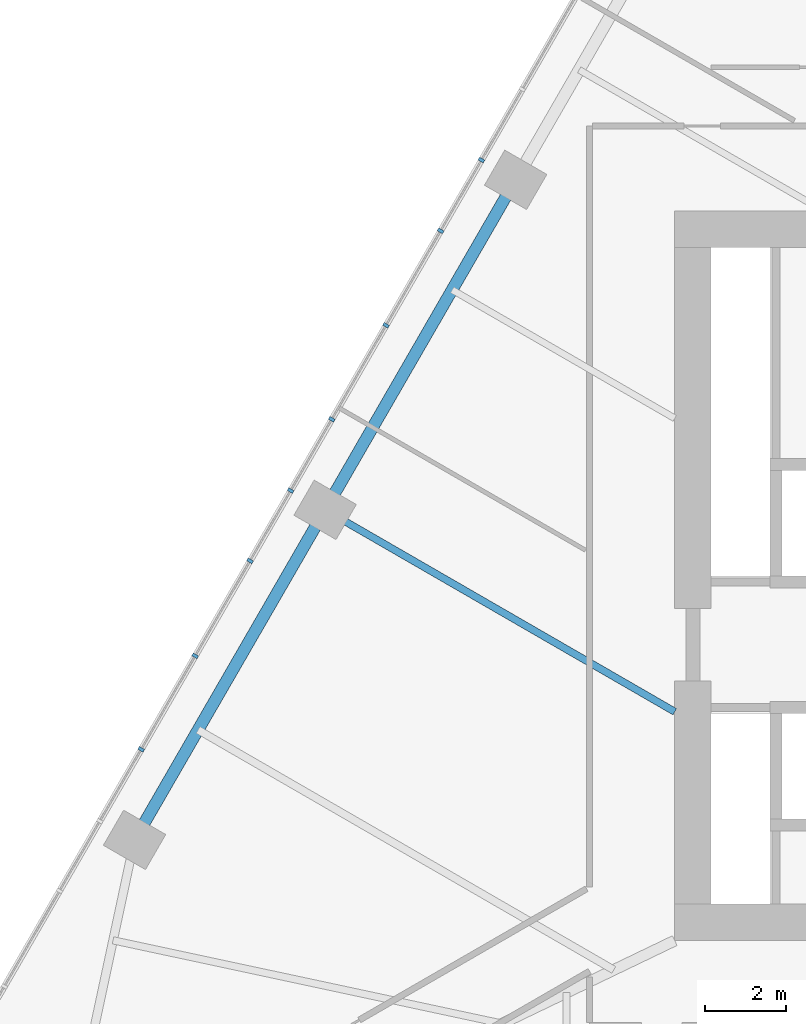
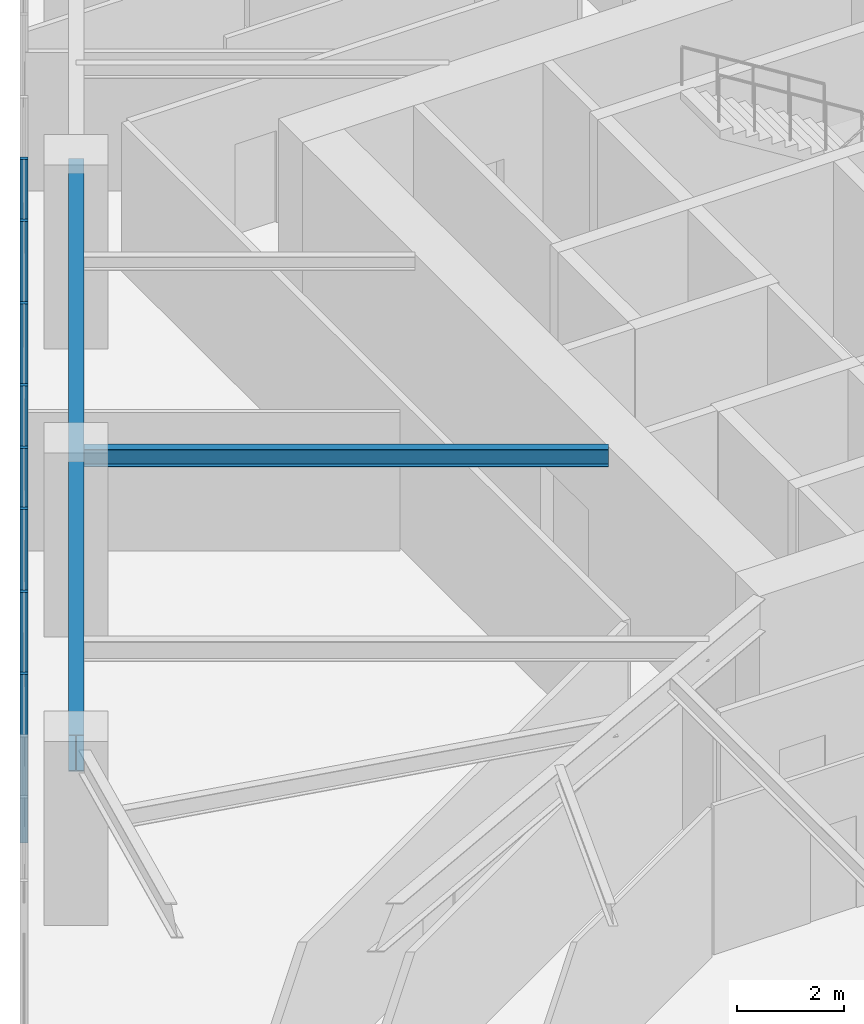
# One storey, part 4 of 21: 8 members, 2 beams, 1 element without a shape of its own.
"""IFC4 building model written with IfcOpenShell, lengths in metres."""

from ifc_helpers import new_model, si_unit, direction, frame, origin, origin_2d, place, context, subcontext, project, spatial, rectangle, i_section, extrude, material, layer, layer_set, material_profile, profile_set, type_object, element, aggregate, save


model = new_model("IFC4")

# Units and contexts
model_context = context("Model", 3, precision=1e-05, world=origin(), true_north=direction((0.0, 1.0)))
body_context = subcontext(model_context, "Body", "Model", "MODEL_VIEW")
ifc_project = project(units=[si_unit("LENGTHUNIT", "METRE"), si_unit("AREAUNIT", "SQUARE_METRE"), si_unit("VOLUMEUNIT", "CUBIC_METRE"), si_unit("PLANEANGLEUNIT", "RADIAN"), si_unit("MASSUNIT", "GRAM", prefix="KILO")], contexts=[model_context])

# Site, building, storey
site_placement = place(None, origin())
site = spatial("IfcSite", under=ifc_project, at=site_placement, CompositionType="ELEMENT")
building_placement = place(site_placement, origin())
building = spatial("IfcBuilding", under=site, at=building_placement, Name="Firuza Gate Tower and Library", CompositionType="ELEMENT")
storey_placement = place(building_placement, frame((0.0, 0.0, 98.800048828125)))
storey = spatial("IfcBuildingStorey", under=building, at=storey_placement, Name="L22", CompositionType="ELEMENT", Elevation=98.800048828125)

# Curtain wall, members
ifc_material_1 = material(Name="Aluminium 6063-T6", Category="aluminium")
ifc_layer = layer(ifc_material_1, 0.14990234375)
ifc_layer_set = layer_set([ifc_layer], Name="Unitised curtain wall, offices")
curtain_wall_type = type_object("IfcCurtainWallType", Name="Unitised curtain wall, offices", PredefinedType="NOTDEFINED", material=ifc_layer_set)
curtain_wall_placement = place(storey_placement, origin())
curtain_wall = element("IfcCurtainWall", 1, at=curtain_wall_placement, inside=storey, type_object=curtain_wall_type, Name="CW1 L22 W face", PredefinedType="NOTDEFINED")
ifc_material_2 = material(Name="Aluminium 6063-T6", Category="aluminium")
ifc_material_profile_1 = material_profile(ifc_material_2, rectangle(XDim=0.14990234375, YDim=0.080078125, at=origin_2d()))
ifc_profile_set_1 = profile_set([ifc_material_profile_1], Name="Aluminium 6063-T6")
member_type = type_object("IfcMemberType", Name="Curtain wall mullion 80x150", PredefinedType="MULLION", material=ifc_profile_set_1)
member_1_placement = place(storey_placement, frame((57.22998046875, 85.259521484375, 0.14990234375), z_axis=(0.0, 0.0, 1.0), x_axis=(0.866025403784, -0.5, 0.0)))
member_1 = element("IfcMember", 2, at=member_1_placement, type_object=member_type, Name="Mullion", PredefinedType="MULLION", context=body_context, shape_type="SweptSolid", body=[
    extrude(rectangle(XDim=0.14990234375, YDim=0.080078125, at=origin_2d()), origin(), (0.0, 0.0, 1.0), 3.85009765625),
])
member_2_placement = place(storey_placement, frame((54.87548828125, 81.181396484375, 0.14990234375), z_axis=(0.0, 0.0, 1.0), x_axis=(0.866025403784, -0.5, 0.0)))
member_2 = element("IfcMember", 3, at=member_2_placement, type_object=member_type, Name="Mullion", PredefinedType="MULLION", context=body_context, shape_type="SweptSolid", body=[
    extrude(rectangle(XDim=0.14990234375, YDim=0.080078125, at=origin_2d()), origin(), (0.0, 0.0, 1.0), 3.85009765625),
])
member_3_placement = place(storey_placement, frame((52.52099609375, 77.103515625, 0.14990234375), z_axis=(0.0, 0.0, 1.0), x_axis=(0.866025403784, -0.5, 0.0)))
member_3 = element("IfcMember", 4, at=member_3_placement, type_object=member_type, Name="Mullion", PredefinedType="MULLION", context=body_context, shape_type="SweptSolid", body=[
    extrude(rectangle(XDim=0.14990234375, YDim=0.080078125, at=origin_2d()), origin(), (0.0, 0.0, 1.0), 3.85009765625),
])
member_4_placement = place(storey_placement, frame((50.166748046875, 73.025390625, 0.14990234375), z_axis=(0.0, 0.0, 1.0), x_axis=(0.866025403784, -0.5, 0.0)))
member_4 = element("IfcMember", 5, at=member_4_placement, type_object=member_type, Name="Mullion", PredefinedType="MULLION", context=body_context, shape_type="SweptSolid", body=[
    extrude(rectangle(XDim=0.14990234375, YDim=0.080078125, at=origin_2d()), origin(), (0.0, 0.0, 1.0), 3.85009765625),
])
member_5_placement = place(storey_placement, frame((56.2216796875, 83.512939453125, 0.14990234375), z_axis=(0.0, 0.0, 1.0), x_axis=(0.866025403784, -0.5, 0.0)))
member_5 = element("IfcMember", 6, at=member_5_placement, type_object=member_type, Name="Mullion", PredefinedType="MULLION", context=body_context, shape_type="SweptSolid", body=[
    extrude(rectangle(XDim=0.14990234375, YDim=0.080078125, at=origin_2d()), origin(), (0.0, 0.0, 1.0), 3.85009765625),
])
member_6_placement = place(storey_placement, frame((53.53662109375, 78.862548828125, 0.14990234375), z_axis=(0.0, 0.0, 1.0), x_axis=(0.866025403784, -0.5, 0.0)))
member_6 = element("IfcMember", 7, at=member_6_placement, type_object=member_type, Name="Mullion", PredefinedType="MULLION", context=body_context, shape_type="SweptSolid", body=[
    extrude(rectangle(XDim=0.14990234375, YDim=0.080078125, at=origin_2d()), origin(), (0.0, 0.0, 1.0), 3.85009765625),
])
member_7_placement = place(storey_placement, frame((51.52001953125, 75.369384765625, 0.14990234375), z_axis=(0.0, 0.0, 1.0), x_axis=(0.866025403784, -0.5, 0.0)))
member_7 = element("IfcMember", 8, at=member_7_placement, type_object=member_type, Name="Mullion", PredefinedType="MULLION", context=body_context, shape_type="SweptSolid", body=[
    extrude(rectangle(XDim=0.14990234375, YDim=0.080078125, at=origin_2d()), origin(), (0.0, 0.0, 1.0), 3.85009765625),
])
member_8_placement = place(storey_placement, frame((48.8349609375, 70.718994140625, 0.14990234375), z_axis=(0.0, 0.0, 1.0), x_axis=(0.866025403784, -0.5, 0.0)))
member_8 = element("IfcMember", 9, at=member_8_placement, type_object=member_type, Name="Mullion", PredefinedType="MULLION", context=body_context, shape_type="SweptSolid", body=[
    extrude(rectangle(XDim=0.14990234375, YDim=0.080078125, at=origin_2d()), origin(), (0.0, 0.0, 1.0), 3.85009765625),
])
aggregate(curtain_wall, [member_1, member_2, member_3, member_4, member_5, member_6, member_7, member_8])

# Beams
ifc_material_3 = material(Name="Steel S355", Category="steel")
ifc_material_profile_2 = material_profile(ifc_material_3, i_section(OverallWidth=0.177978515625, OverallDepth=0.406982421875, WebThickness=0.0078125, FlangeThickness=0.0126953125, at=origin_2d()))
ifc_profile_set_2 = profile_set([ifc_material_profile_2], Name="Steel S355")
beam_type_1 = type_object("IfcBeamType", Name="W410x60 Floor beam", PredefinedType="JOIST", material=ifc_profile_set_2)
beam_1_placement = place(storey_placement, frame((53.372802734375, 76.62841796875, 3.79638671875), z_axis=(0.866023562183, -0.500003189735, 0.0), x_axis=(0.500003189735, 0.866023562183, 0.0)))
element("IfcBeam", 10, at=beam_1_placement, inside=storey, type_object=beam_type_1, Name="Floor beam L22 s84", PredefinedType="JOIST", context=body_context, shape_type="SweptSolid", body=[
    extrude(i_section(OverallWidth=0.177978515625, OverallDepth=0.406982421875, WebThickness=0.0078125, FlangeThickness=0.0126953125, at=origin_2d()), origin(), (0.0, 0.0, 1.0), 9.9619140625),
])
ifc_material_4 = material(Name="Steel S355", Category="steel")
ifc_material_profile_3 = material_profile(ifc_material_4, i_section(OverallWidth=0.2919921875, OverallDepth=0.8349609375, WebThickness=0.013916015625, FlangeThickness=0.018798828125, at=origin_2d()))
ifc_profile_set_3 = profile_set([ifc_material_profile_3], Name="Steel S355")
beam_type_2 = type_object("IfcBeamType", Name="W840x176 Edge beam", PredefinedType="SPANDREL", material=ifc_profile_set_3)
beam_2_placement = place(storey_placement, frame((58.074462890625, 84.77197265625, 3.58251953125), z_axis=(-0.500007874956, -0.866020857129, 0.0), x_axis=(0.866020857129, -0.500007874956, 0.0)))
element("IfcBeam", 11, at=beam_2_placement, inside=storey, type_object=beam_type_2, Name="Edge beam L22 e82", PredefinedType="SPANDREL", context=body_context, shape_type="SweptSolid", body=[
    extrude(i_section(OverallWidth=0.2919921875, OverallDepth=0.8349609375, WebThickness=0.013916015625, FlangeThickness=0.018798828125, at=origin_2d()), origin(), (0.0, 0.0, 1.0), 18.806884765625),
])

save(model, "model.ifc")
